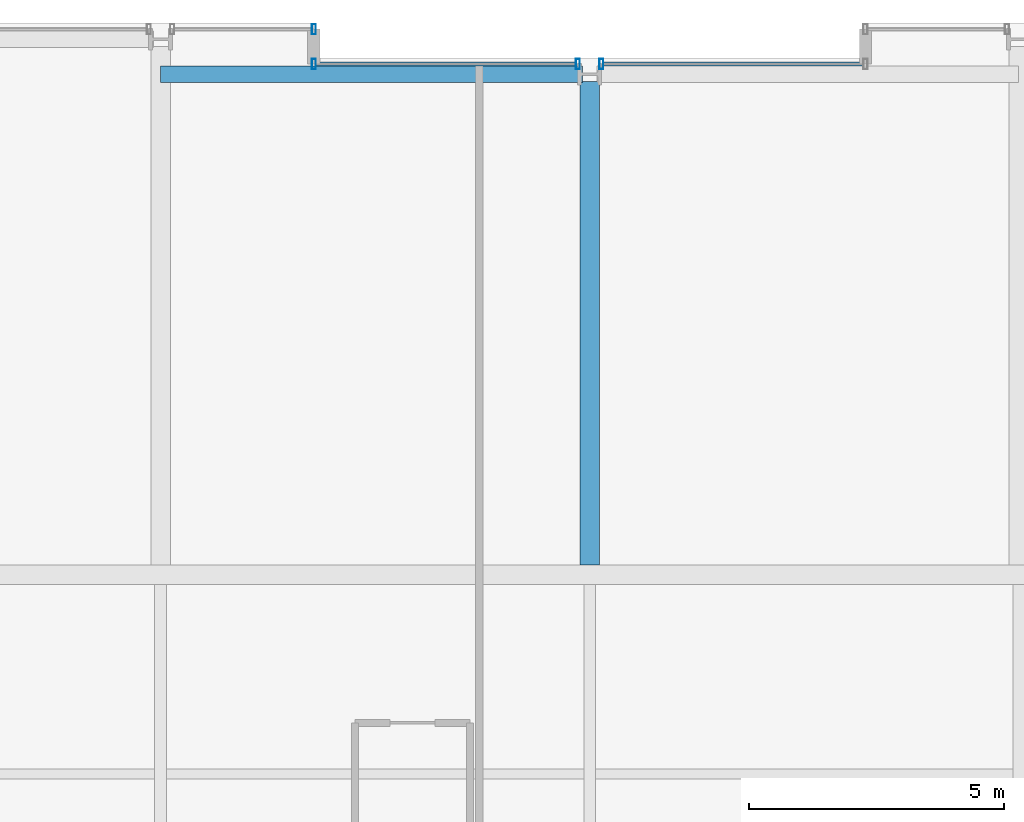
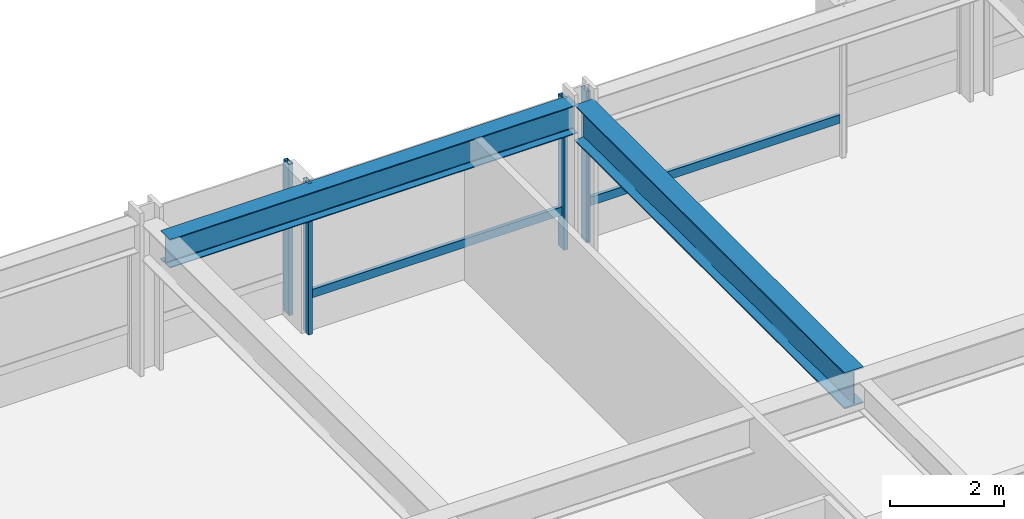
# One storey, part 23 of 37: 6 members, 2 beams, 3 elements without a shape of their own.
"""IFC4 building model written with IfcOpenShell, lengths in metres."""

from ifc_helpers import new_model, si_unit, direction, frame, origin, origin_2d, place, context, subcontext, project, spatial, hollow_rectangle, i_section, extrude, material, layer, layer_set, material_profile, profile_set, type_object, element, aggregate, save


model = new_model("IFC4")

# Units and contexts
model_context = context("Model", 3, precision=1e-05, world=origin(), true_north=direction((0.0, 1.0)))
body_context = subcontext(model_context, "Body", "Model", "MODEL_VIEW")
ifc_project = project(units=[si_unit("LENGTHUNIT", "METRE"), si_unit("AREAUNIT", "SQUARE_METRE"), si_unit("VOLUMEUNIT", "CUBIC_METRE"), si_unit("PLANEANGLEUNIT", "RADIAN"), si_unit("MASSUNIT", "GRAM", prefix="KILO")], contexts=[model_context])

# Site, building, storey
site_placement = place(None, origin())
site = spatial("IfcSite", under=ifc_project, at=site_placement, CompositionType="ELEMENT")
building_placement = place(site_placement, origin())
building = spatial("IfcBuilding", under=site, at=building_placement, Name="Drelvath Grand Hotel", CompositionType="ELEMENT")
storey_placement = place(building_placement, frame((0.0, 0.0, 75.199951171875)))
storey = spatial("IfcBuildingStorey", under=building, at=storey_placement, Name="L18", CompositionType="ELEMENT", Elevation=75.199951171875)

# Curtain wall, member
ifc_material_1 = material(Name="Warm Bronze Anodised Aluminium Frame", Category="aluminium")
ifc_layer = layer(ifc_material_1, 0.199951171875)
ifc_layer_set = layer_set([ifc_layer], Name="Warm Bronze Anodised Aluminium Frame")
curtain_wall_type = type_object("IfcCurtainWallType", Name="Stick Curtain Wall CW-02 Warm Bronze Low-Rise", PredefinedType="NOTDEFINED", material=ifc_layer_set)
curtain_wall_1_placement = place(storey_placement, origin())
curtain_wall_1 = element("IfcCurtainWall", 1, at=curtain_wall_1_placement, inside=storey, type_object=curtain_wall_type, Name="L18 CW-02 Curtain Wall CW02-L18-NM1", PredefinedType="NOTDEFINED")
ifc_material_profile_1 = material_profile(ifc_material_1, hollow_rectangle(XDim=0.074951171875, YDim=0.179931640625, WallThickness=0.0048828125, at=origin_2d()), Name="HSS180X75X5")
ifc_profile_set_1 = profile_set([ifc_material_profile_1], Name="Warm Bronze Anodised Aluminium Frame")
member_type_1 = type_object("IfcMemberType", Name="Curtain Wall Horizontal Transom CW-02 HSS180X75X5", PredefinedType="USERDEFINED", material=ifc_profile_set_1)
member_1_placement = place(storey_placement, frame((-5.360107421875, 53.199951171875, 0.81005859375), z_axis=(1.0, 0.0, 0.0), x_axis=(0.0, 1.0, 0.0)))
member_1 = element("IfcMember", 2, at=member_1_placement, type_object=member_type_1, Name="CW02-L18-NM1 Sill Transom", ObjectType="TRANSOM", PredefinedType="USERDEFINED", context=body_context, shape_type="SweptSolid", body=[
    extrude(hollow_rectangle(XDim=0.074951171875, YDim=0.179931640625, WallThickness=0.0048828125, at=origin_2d()), origin(), (0.0, 0.0, 1.0), 5.091064453125),
])

curtain_wall_2_placement = place(storey_placement, origin())
curtain_wall_2 = element("IfcCurtainWall", 3, at=curtain_wall_2_placement, inside=storey, type_object=curtain_wall_type, Name="L18 CW-02 Curtain Wall CW02-L18-NM2", PredefinedType="NOTDEFINED")
member_2_placement = place(storey_placement, frame((0.26904296875, 53.199951171875, 0.81005859375), z_axis=(1.0, 0.0, 0.0), x_axis=(0.0, 1.0, 0.0)))
member_2 = element("IfcMember", 4, at=member_2_placement, type_object=member_type_1, Name="CW02-L18-NM2 Sill Transom", ObjectType="TRANSOM", PredefinedType="USERDEFINED", context=body_context, shape_type="SweptSolid", body=[
    extrude(hollow_rectangle(XDim=0.074951171875, YDim=0.179931640625, WallThickness=0.0048828125, at=origin_2d()), origin(), (0.0, 0.0, 1.0), 5.091064453125),
])

curtain_wall_3_placement = place(storey_placement, origin())
curtain_wall_3 = element("IfcCurtainWall", 5, at=curtain_wall_3_placement, inside=storey, type_object=curtain_wall_type, Name="L18 CW-02 Curtain Wall CW02-L18-NW3", PredefinedType="NOTDEFINED")
ifc_material_profile_2 = material_profile(ifc_material_1, hollow_rectangle(XDim=0.080078125, YDim=0.199951171875, WallThickness=0.0048828125, at=origin_2d()), Name="HSS200X80X5")
ifc_profile_set_2 = profile_set([ifc_material_profile_2], Name="Warm Bronze Anodised Aluminium Frame")
member_type_2 = type_object("IfcMemberType", Name="Curtain Wall Vertical Mullion CW-02 HSS200X80X5", PredefinedType="MULLION", material=ifc_profile_set_2)
member_3_placement = place(storey_placement, frame((-5.39990234375, 53.8798828125, 0.0), z_axis=(0.0, 0.0, 1.0), x_axis=(1.0, 0.0, 0.0)))
member_3 = element("IfcMember", 6, at=member_3_placement, type_object=member_type_2, Name="CW02-L18-NW3 Mullion 2", PredefinedType="MULLION", context=body_context, shape_type="SweptSolid", body=[
    extrude(hollow_rectangle(XDim=0.080078125, YDim=0.199951171875, WallThickness=0.0048828125, at=origin_2d()), origin(), (0.0, 0.0, 1.0), 3.239990234375),
])
aggregate(curtain_wall_3, [member_3])

# Member
member_4_placement = place(storey_placement, frame((-5.39990234375, 53.199951171875, 0.0), z_axis=(0.0, 0.0, 1.0), x_axis=(1.0, 0.0, 0.0)))
member_4 = element("IfcMember", 7, at=member_4_placement, type_object=member_type_2, Name="CW02-L18-NM1 Mullion 1", PredefinedType="MULLION", context=body_context, shape_type="SweptSolid", body=[
    extrude(hollow_rectangle(XDim=0.080078125, YDim=0.199951171875, WallThickness=0.0048828125, at=origin_2d()), origin(), (0.0, 0.0, 1.0), 3.239990234375),
])

member_5_placement = place(storey_placement, frame((-0.22900390625, 53.199951171875, 0.0), z_axis=(0.0, 0.0, 1.0), x_axis=(1.0, 0.0, 0.0)))
member_5 = element("IfcMember", 8, at=member_5_placement, type_object=member_type_2, Name="CW02-L18-NM1 Mullion 2", PredefinedType="MULLION", context=body_context, shape_type="SweptSolid", body=[
    extrude(hollow_rectangle(XDim=0.080078125, YDim=0.199951171875, WallThickness=0.0048828125, at=origin_2d()), origin(), (0.0, 0.0, 1.0), 3.239990234375),
])

aggregate(curtain_wall_1, [member_4, member_5, member_1])

member_6_placement = place(storey_placement, frame((0.22900390625, 53.199951171875, 0.0), z_axis=(0.0, 0.0, 1.0), x_axis=(1.0, 0.0, 0.0)))
member_6 = element("IfcMember", 9, at=member_6_placement, type_object=member_type_2, Name="CW02-L18-NM2 Mullion 1", PredefinedType="MULLION", context=body_context, shape_type="SweptSolid", body=[
    extrude(hollow_rectangle(XDim=0.080078125, YDim=0.199951171875, WallThickness=0.0048828125, at=origin_2d()), origin(), (0.0, 0.0, 1.0), 3.239990234375),
])

aggregate(curtain_wall_2, [member_6, member_2])

# Beams
ifc_material_2 = material(Name="Steel ASTM A992 Gr 50", Category="steel")
ifc_material_profile_3 = material_profile(ifc_material_2, i_section(OverallWidth=0.323974609375, OverallDepth=0.611083984375, WebThickness=0.0126953125, FlangeThickness=0.01904296875, FilletRadius=0.02197265625, at=origin_2d()), Name="W24X104")
ifc_profile_set_3 = profile_set([ifc_material_profile_3], Name="Steel ASTM A992 Gr 50")
beam_type_1 = type_object("IfcBeamType", Name="Perimeter Spandrel Beam W24X104", PredefinedType="SPANDREL", material=ifc_profile_set_3)
beam_1_placement = place(storey_placement, frame((-8.39990234375, 53.0, 2.9345703125), z_axis=(1.0, 0.0, 0.0), x_axis=(0.0, 1.0, 0.0)))
element("IfcBeam", 10, at=beam_1_placement, inside=storey, type_object=beam_type_1, Name="L18 Spandrel North Mid W", PredefinedType="SPANDREL", context=body_context, shape_type="SweptSolid", body=[
    extrude(i_section(OverallWidth=0.323974609375, OverallDepth=0.611083984375, WebThickness=0.0126953125, FlangeThickness=0.01904296875, FilletRadius=0.02197265625, at=origin_2d()), origin(), (0.0, 0.0, 1.0), 8.260009765625),
])
ifc_material_profile_4 = material_profile(ifc_material_2, i_section(OverallWidth=0.380615234375, OverallDepth=0.773193359375, WebThickness=0.0166015625, FlangeThickness=0.027099609375, FilletRadius=0.02490234375, at=origin_2d()), Name="W30X173")
ifc_profile_set_4 = profile_set([ifc_material_profile_4], Name="Steel ASTM A992 Gr 50")
beam_type_2 = type_object("IfcBeamType", Name="Primary Floor Girder W30X173", PredefinedType="BEAM", material=ifc_profile_set_4)
beam_2_placement = place(storey_placement, frame((0.0, 43.390380859375, 2.853515625), z_axis=(0.0, 1.0, 0.0), x_axis=(-1.0, 0.0, 0.0)))
element("IfcBeam", 11, at=beam_2_placement, inside=storey, type_object=beam_type_2, Name="L18 North Wing Girder 5", PredefinedType="BEAM", context=body_context, shape_type="SweptSolid", body=[
    extrude(i_section(OverallWidth=0.380615234375, OverallDepth=0.773193359375, WebThickness=0.0166015625, FlangeThickness=0.027099609375, FilletRadius=0.02490234375, at=origin_2d()), origin(), (0.0, 0.0, 1.0), 9.4697265625),
])

save(model, "model.ifc")
